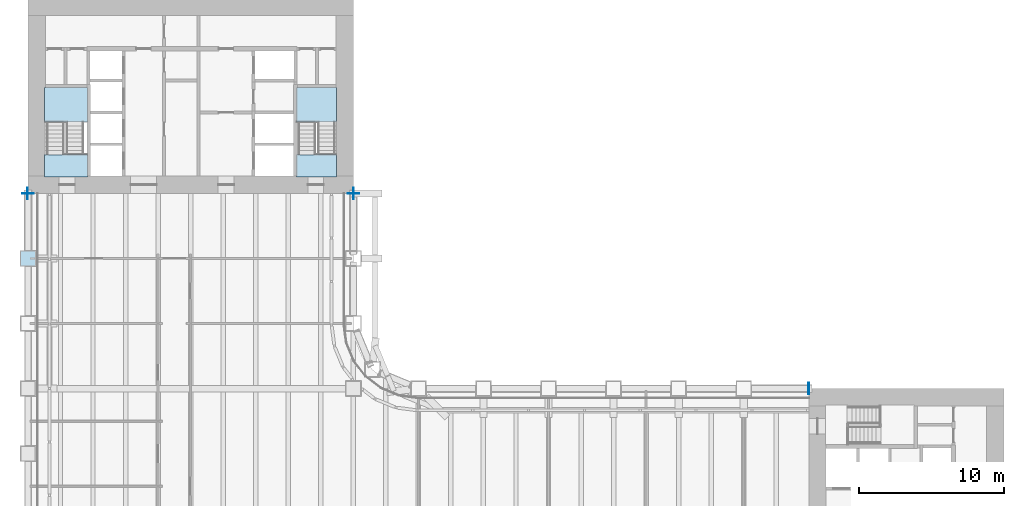
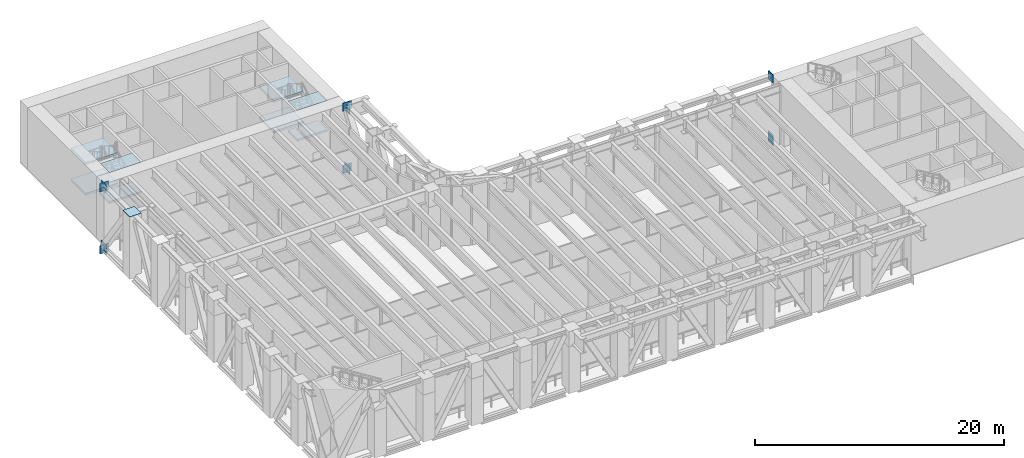
# One storey, part 5 of 19: 15 plates, 8 slabs, 2 elements without a shape of their own.
"""IFC4 building model written with IfcOpenShell, lengths in metres."""

from ifc_helpers import new_model, si_unit, direction, frame, origin, origin_2d, place, context, subcontext, project, spatial, polyline, rectangle, outline, extrude, material, layer, layer_set, type_object, element, aggregate, save


model = new_model("IFC4")

# Units and contexts
model_context = context("Model", 3, precision=1e-05, world=origin(), true_north=direction((0.0, 1.0)))
body_context = subcontext(model_context, "Body", "Model", "MODEL_VIEW")
ifc_project = project(units=[si_unit("LENGTHUNIT", "METRE"), si_unit("AREAUNIT", "SQUARE_METRE"), si_unit("VOLUMEUNIT", "CUBIC_METRE"), si_unit("PLANEANGLEUNIT", "RADIAN"), si_unit("MASSUNIT", "GRAM", prefix="KILO")], contexts=[model_context])

# Site, building, storey
site_placement = place(None, origin())
site = spatial("IfcSite", under=ifc_project, at=site_placement, CompositionType="ELEMENT")
building_placement = place(site_placement, origin())
building = spatial("IfcBuilding", under=site, at=building_placement, Name="Sennacour Bend Tower", CompositionType="ELEMENT")
storey_placement = place(building_placement, frame((0.0, 0.0, 77.0)))
storey = spatial("IfcBuildingStorey", under=building, at=storey_placement, Name="L17", CompositionType="ELEMENT", Elevation=77.0)

# Plates
ifc_material_1 = material(Name="Steel ASTM A572 Grade 50", Category="steel")
ifc_layer_1 = layer(ifc_material_1, 0.0400390625, Name="Steel ASTM A572 Grade 50", Category="steel")
ifc_layer_set_1 = layer_set([ifc_layer_1], Name="Steel ASTM A572 Grade 50")
plate_type_1 = type_object("IfcPlateType", Name="Cast-in plate 40", PredefinedType="USERDEFINED", material=ifc_layer_set_1)
plate_1_placement = place(storey_placement, frame((0.0, 36.0, -0.87744140625), z_axis=(0.0, 0.0, 1.0), x_axis=(1.0, 0.0, 0.0)))
element("IfcPlate", 1, at=plate_1_placement, inside=storey, type_object=plate_type_1, Name="Cast-in plate CP 40", ObjectType="CAST-IN PLATE", PredefinedType="USERDEFINED", context=body_context, shape_type="SweptSolid", body=[
    extrude(rectangle(XDim=0.800048828125, YDim=0.0400390625, at=origin_2d()), origin(), (0.0, 0.0, 1.0), 0.800048828125),
])
plate_2_placement = place(storey_placement, frame((-0.02001953125, 36.0, -0.87744140625), z_axis=(0.0, 0.0, 1.0), x_axis=(1.0, 0.0, 0.0)))
element("IfcPlate", 2, at=plate_2_placement, inside=storey, type_object=plate_type_1, Name="Cast-in plate CP BC 40", ObjectType="CAST-IN PLATE", PredefinedType="USERDEFINED", context=body_context, shape_type="SweptSolid", body=[
    extrude(rectangle(XDim=0.0400390625, YDim=0.800048828125, at=origin_2d()), origin(), (0.0, 0.0, 1.0), 0.800048828125),
])
plate_3_placement = place(storey_placement, frame((22.5, 36.0, -0.87744140625), z_axis=(0.0, 0.0, 1.0), x_axis=(1.0, 0.0, 0.0)))
element("IfcPlate", 3, at=plate_3_placement, inside=storey, type_object=plate_type_1, Name="Cast-in plate CP 40", ObjectType="CAST-IN PLATE", PredefinedType="USERDEFINED", context=body_context, shape_type="SweptSolid", body=[
    extrude(rectangle(XDim=0.800048828125, YDim=0.0400390625, at=origin_2d()), origin(), (0.0, 0.0, 1.0), 0.800048828125),
])
for number, where, z_axis, x_axis, name in (
    (4, (22.52001953125, 36.0, -0.87744140625), (0.0, 0.0, 1.0), (1.0, 0.0, 0.0), "Cast-in plate CP BC 40"),
    (5, (54.0, 22.5, -0.87744140625), (0.0, 0.0, 1.0), (1.0, 0.0, 0.0), "Cast-in plate CP 40"),
    (6, (53.97998046875, 22.5, -0.87744140625), (0.0, 0.0, 1.0), (1.0, 0.0, 0.0), "Cast-in plate CP BC 40"),
):
    element("IfcPlate", number, at=place(storey_placement, frame(where, z_axis=z_axis, x_axis=x_axis)), inside=storey, type_object=plate_type_1, Name=name, ObjectType="CAST-IN PLATE", PredefinedType="USERDEFINED", context=body_context, shape_type="SweptSolid", body=[
        extrude(rectangle(XDim=0.0400390625, YDim=0.800048828125, at=origin_2d()), origin(), (0.0, 0.0, 1.0), 0.800048828125),
    ])
plate_4_placement = place(storey_placement, frame((0.0, 36.0, 5.22265625), z_axis=(0.0, 0.0, 1.0), x_axis=(1.0, 0.0, 0.0)))
element("IfcPlate", 7, at=plate_4_placement, inside=storey, type_object=plate_type_1, Name="Cast-in plate CP 40", ObjectType="CAST-IN PLATE", PredefinedType="USERDEFINED", context=body_context, shape_type="SweptSolid", body=[
    extrude(rectangle(XDim=0.800048828125, YDim=0.0400390625, at=origin_2d()), origin(), (0.0, 0.0, 1.0), 0.800048828125),
])
plate_5_placement = place(storey_placement, frame((-0.02001953125, 36.0, 5.22265625), z_axis=(0.0, 0.0, 1.0), x_axis=(1.0, 0.0, 0.0)))
element("IfcPlate", 8, at=plate_5_placement, inside=storey, type_object=plate_type_1, Name="Cast-in plate CP BC 40", ObjectType="CAST-IN PLATE", PredefinedType="USERDEFINED", context=body_context, shape_type="SweptSolid", body=[
    extrude(rectangle(XDim=0.0400390625, YDim=0.800048828125, at=origin_2d()), origin(), (0.0, 0.0, 1.0), 0.800048828125),
])
plate_6_placement = place(storey_placement, frame((22.5, 36.0, 5.22265625), z_axis=(0.0, 0.0, 1.0), x_axis=(1.0, 0.0, 0.0)))
element("IfcPlate", 9, at=plate_6_placement, inside=storey, type_object=plate_type_1, Name="Cast-in plate CP 40", ObjectType="CAST-IN PLATE", PredefinedType="USERDEFINED", context=body_context, shape_type="SweptSolid", body=[
    extrude(rectangle(XDim=0.800048828125, YDim=0.0400390625, at=origin_2d()), origin(), (0.0, 0.0, 1.0), 0.800048828125),
])
for number, where, z_axis, x_axis, name in (
    (10, (54.0, 22.5, 5.22265625), (0.0, 0.0, 1.0), (1.0, 0.0, 0.0), "Cast-in plate CP 40"),
    (11, (53.97998046875, 22.5, 5.22265625), (0.0, 0.0, 1.0), (1.0, 0.0, 0.0), "Cast-in plate CP BC 40"),
    (12, (53.97998046875, 22.5, -0.64990234375), (0.0, 0.0, 1.0), (1.0, 0.0, 0.0), "Cast-in plate CP OTD 40"),
    (13, (-0.02001953125, 36.0, -0.64990234375), (0.0, 0.0, 1.0), (1.0, 0.0, 0.0), "Cast-in plate CP OTD 40"),
    (14, (22.52001953125, 36.0, 4.9951171875), (0.0, 0.0, 1.0), (1.0, 0.0, 0.0), "Cast-in plate CP OTD 40"),
):
    element("IfcPlate", number, at=place(storey_placement, frame(where, z_axis=z_axis, x_axis=x_axis)), inside=storey, type_object=plate_type_1, Name=name, ObjectType="CAST-IN PLATE", PredefinedType="USERDEFINED", context=body_context, shape_type="SweptSolid", body=[
        extrude(rectangle(XDim=0.0400390625, YDim=0.800048828125, at=origin_2d()), origin(), (0.0, 0.0, 1.0), 0.800048828125),
    ])
ifc_layer_2 = layer(ifc_material_1, 0.02490234375, Name="Steel ASTM A572 Grade 50", Category="steel")
ifc_layer_set_2 = layer_set([ifc_layer_2], Name="Steel ASTM A572 Grade 50")
plate_type_2 = type_object("IfcPlateType", Name="Column cap plate 1100", PredefinedType="USERDEFINED", material=ifc_layer_set_2)
plate_7_placement = place(storey_placement, frame((0.0, 31.5, 5.85009765625), z_axis=(0.0, 0.0, 1.0), x_axis=(1.0, 0.0, 0.0)))
element("IfcPlate", 15, at=plate_7_placement, inside=storey, type_object=plate_type_2, Name="Column cap plate L17-008", ObjectType="END PLATE", PredefinedType="USERDEFINED", context=body_context, shape_type="SweptSolid", body=[
    extrude(rectangle(XDim=1.10009765625, YDim=1.10009765625, at=origin_2d()), origin(), (0.0, 0.0, 1.0), 0.02490234375),
])

# Slabs
ifc_material_2 = material(Name="Concrete C40/50", Category="concrete")
ifc_layer_3 = layer(ifc_material_2, 0.034912109375, Name="Concrete C40/50", Category="concrete")
ifc_layer_set_3 = layer_set([ifc_layer_3], Name="Concrete C40/50")
slab_type_1 = type_object("IfcSlabType", Name="Stair arrival nib 35", PredefinedType="FLOOR", material=ifc_layer_set_3)
slab_1_placement = place(storey_placement, frame((0.0, 0.0, 5.815185546875)))
element("IfcSlab", 16, at=slab_1_placement, inside=storey, type_object=slab_type_1, Name="L17 SB1 stair arrival nib", PredefinedType="FLOOR", context=body_context, shape_type="SweptSolid", body=[
    extrude(outline(polyline([(1.14990234375, 38.64208984375), (1.14990234375, 37.14990234375), (4.125, 37.14990234375), (4.125, 38.64208984375), (1.14990234375, 38.64208984375)])), origin(), (0.0, 0.0, 1.0), 0.034912109375),
])
slab_2_placement = place(storey_placement, frame((0.0, 0.0, 5.815185546875)))
element("IfcSlab", 17, at=slab_2_placement, inside=storey, type_object=slab_type_1, Name="L17 SB2 stair arrival nib", PredefinedType="FLOOR", context=body_context, shape_type="SweptSolid", body=[
    extrude(outline(polyline([(18.574951171875, 38.64208984375), (18.574951171875, 37.14990234375), (21.35009765625, 37.14990234375), (21.35009765625, 38.64208984375), (18.574951171875, 38.64208984375)])), origin(), (0.0, 0.0, 1.0), 0.034912109375),
])

# Stair, slabs
stair_type = type_object("IfcStairType", Name="ST-DOGLEG", PredefinedType="HALF_TURN_STAIR", material=ifc_material_2)
stair_1_placement = place(storey_placement, origin())
stair_1 = element("IfcStair", 18, at=stair_1_placement, inside=storey, type_object=stair_type, Name="L17 Exit stair B1", PredefinedType="HALF_TURN_STAIR")
ifc_layer_4 = layer(ifc_material_2, 0.199951171875, Name="Concrete C40/50", Category="concrete")
ifc_layer_set_4 = layer_set([ifc_layer_4], Name="Concrete C40/50")
slab_type_2 = type_object("IfcSlabType", Name="Stair landing 200", PredefinedType="LANDING", material=ifc_layer_set_4)
slab_3_placement = place(storey_placement, frame((0.0, 0.0, 1.300048828125)))
slab_3 = element("IfcSlab", 19, at=slab_3_placement, type_object=slab_type_2, Name="SB1 landing 1", PredefinedType="LANDING", context=body_context, shape_type="SweptSolid", body=[
    extrude(outline(polyline([(1.14990234375, 40.93994140625), (4.125, 40.93994140625), (4.125, 43.324951171875), (1.14990234375, 43.324951171875), (1.14990234375, 40.93994140625)])), origin(), (0.0, 0.0, 1.0), 0.199951171875),
])
slab_4_placement = place(storey_placement, frame((0.0, 0.0, 2.800048828125)))
slab_4 = element("IfcSlab", 20, at=slab_4_placement, type_object=slab_type_2, Name="SB1 landing 2", PredefinedType="LANDING", context=body_context, shape_type="SweptSolid", body=[
    extrude(outline(polyline([(1.14990234375, 37.14990234375), (4.125, 37.14990234375), (4.125, 38.699951171875), (1.14990234375, 38.699951171875), (1.14990234375, 37.14990234375)])), origin(), (0.0, 0.0, 1.0), 0.199951171875),
])
slab_5_placement = place(storey_placement, frame((0.0, 0.0, 4.300048828125)))
slab_5 = element("IfcSlab", 21, at=slab_5_placement, type_object=slab_type_2, Name="SB1 landing 3", PredefinedType="LANDING", context=body_context, shape_type="SweptSolid", body=[
    extrude(outline(polyline([(1.14990234375, 40.93994140625), (4.125, 40.93994140625), (4.125, 43.324951171875), (1.14990234375, 43.324951171875), (1.14990234375, 40.93994140625)])), origin(), (0.0, 0.0, 1.0), 0.199951171875),
])
aggregate(stair_1, [slab_3, slab_4, slab_5])

stair_2_placement = place(storey_placement, origin())
stair_2 = element("IfcStair", 22, at=stair_2_placement, inside=storey, type_object=stair_type, Name="L17 Exit stair B2", PredefinedType="HALF_TURN_STAIR")
slab_6_placement = place(storey_placement, frame((0.0, 0.0, 1.300048828125)))
slab_6 = element("IfcSlab", 23, at=slab_6_placement, type_object=slab_type_2, Name="SB2 landing 1", PredefinedType="LANDING", context=body_context, shape_type="SweptSolid", body=[
    extrude(outline(polyline([(18.574951171875, 40.93994140625), (21.35009765625, 40.93994140625), (21.35009765625, 43.324951171875), (18.574951171875, 43.324951171875), (18.574951171875, 40.93994140625)])), origin(), (0.0, 0.0, 1.0), 0.199951171875),
])
slab_7_placement = place(storey_placement, frame((0.0, 0.0, 2.800048828125)))
slab_7 = element("IfcSlab", 24, at=slab_7_placement, type_object=slab_type_2, Name="SB2 landing 2", PredefinedType="LANDING", context=body_context, shape_type="SweptSolid", body=[
    extrude(outline(polyline([(18.574951171875, 37.14990234375), (21.35009765625, 37.14990234375), (21.35009765625, 38.699951171875), (18.574951171875, 38.699951171875), (18.574951171875, 37.14990234375)])), origin(), (0.0, 0.0, 1.0), 0.199951171875),
])
slab_8_placement = place(storey_placement, frame((0.0, 0.0, 4.300048828125)))
slab_8 = element("IfcSlab", 25, at=slab_8_placement, type_object=slab_type_2, Name="SB2 landing 3", PredefinedType="LANDING", context=body_context, shape_type="SweptSolid", body=[
    extrude(outline(polyline([(18.574951171875, 40.93994140625), (21.35009765625, 40.93994140625), (21.35009765625, 43.324951171875), (18.574951171875, 43.324951171875), (18.574951171875, 40.93994140625)])), origin(), (0.0, 0.0, 1.0), 0.199951171875),
])
aggregate(stair_2, [slab_6, slab_7, slab_8])

save(model, "model.ifc")
